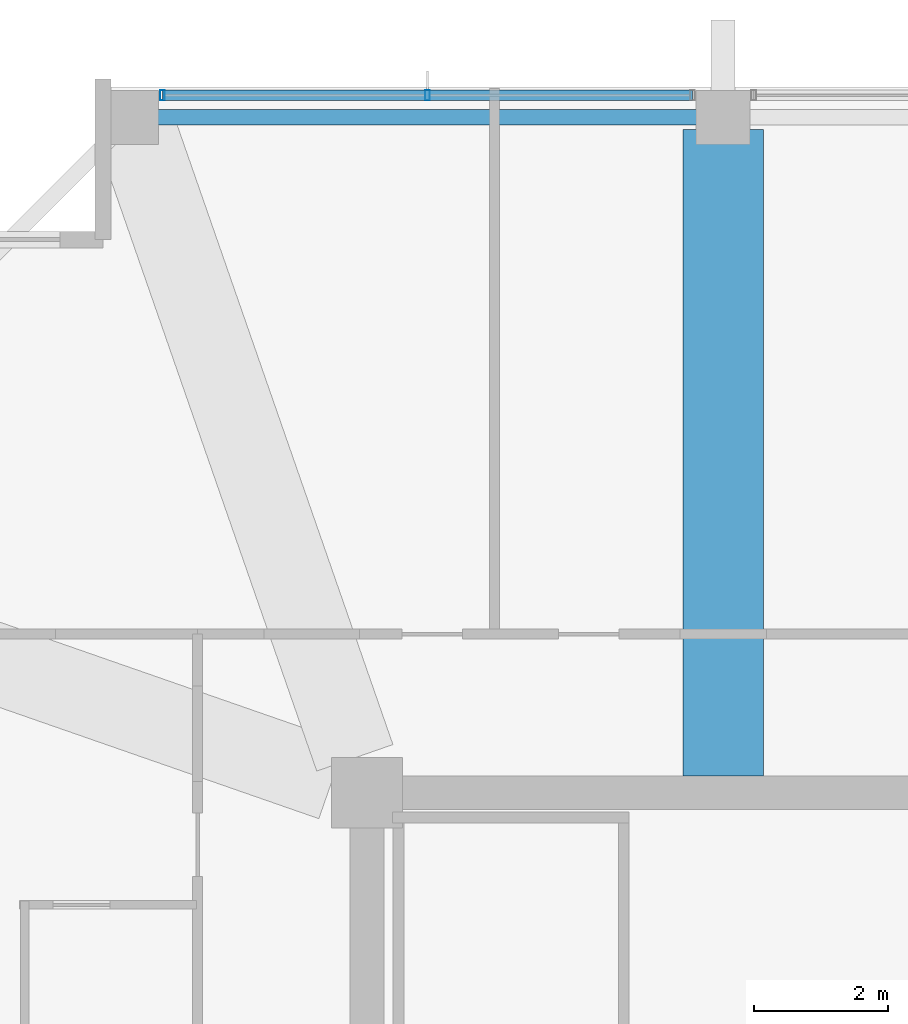
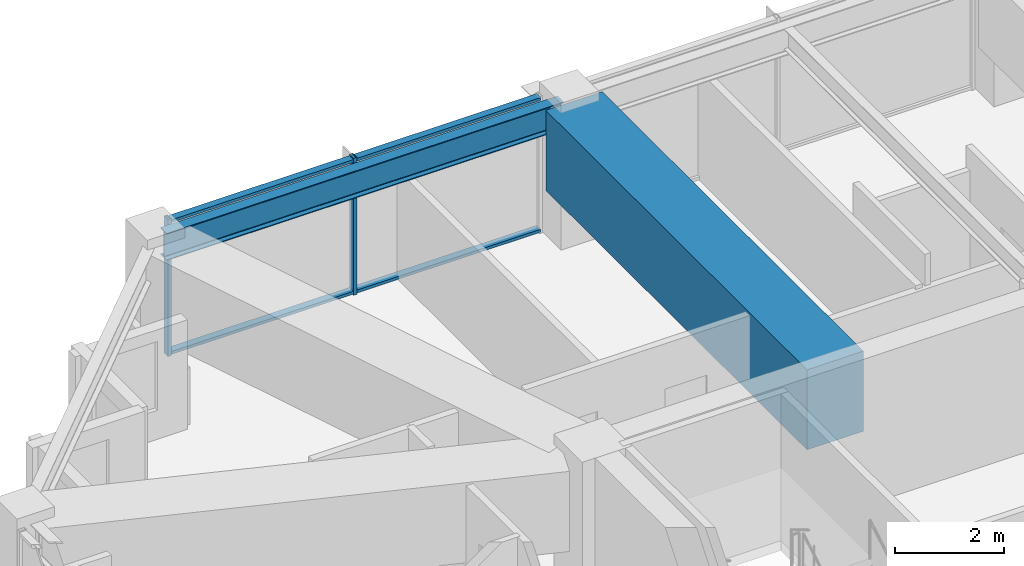
# One storey, part 18 of 35: 4 members, 2 beams, 1 element without a shape of its own.
"""IFC4 building model written with IfcOpenShell, lengths in metres."""

from ifc_helpers import new_model, si_unit, direction, frame, origin, origin_2d, place, context, subcontext, project, spatial, rectangle, hollow_rectangle, i_section, extrude, material, material_profile, profile_set, type_object, element, aggregate, save


model = new_model("IFC4")

# Units and contexts
model_context = context("Model", 3, precision=1e-05, world=origin(), true_north=direction((0.0, 1.0)))
body_context = subcontext(model_context, "Body", "Model", "MODEL_VIEW")
ifc_project = project(units=[si_unit("LENGTHUNIT", "METRE"), si_unit("AREAUNIT", "SQUARE_METRE"), si_unit("VOLUMEUNIT", "CUBIC_METRE"), si_unit("PLANEANGLEUNIT", "RADIAN"), si_unit("MASSUNIT", "GRAM", prefix="KILO")], contexts=[model_context])

# Site, building, storey
site_placement = place(None, origin())
site = spatial("IfcSite", under=ifc_project, at=site_placement, CompositionType="ELEMENT")
building_placement = place(site_placement, origin())
building = spatial("IfcBuilding", under=site, at=building_placement, Name="Kolvaren Belvedere", CompositionType="ELEMENT")
storey_placement = place(building_placement, frame((0.0, 0.0, 203.10009765625)))
storey = spatial("IfcBuildingStorey", under=building, at=storey_placement, Name="L59", CompositionType="ELEMENT", Elevation=203.10009765625)

# Beams
ifc_material_1 = material(Name="Structural steel ASTM A992 Grade 50", Category="steel")
ifc_material_profile_1 = material_profile(ifc_material_1, i_section(OverallWidth=0.22900390625, OverallDepth=0.612060546875, WebThickness=0.011962890625, FlangeThickness=0.01953125, FilletRadius=0.01806640625, at=origin_2d()), Name="W24X84")
ifc_profile_set_1 = profile_set([ifc_material_profile_1], Name="Structural steel ASTM A992 Grade 50")
beam_type_1 = type_object("IfcBeamType", Name="BM-SPAN-W24X84", PredefinedType="SPANDREL", material=ifc_profile_set_1)
beam_1_placement = place(storey_placement, frame((-4.780029296875, 19.949951171875, 2.77392578125), z_axis=(-1.0, 0.0, 0.0), x_axis=(0.0, -1.0, 0.0)))
element("IfcBeam", 1, at=beam_1_placement, inside=storey, type_object=beam_type_1, Name="L59 Perimeter Spandrel N2-N1", PredefinedType="SPANDREL", context=body_context, shape_type="SweptSolid", body=[
    extrude(i_section(OverallWidth=0.22900390625, OverallDepth=0.612060546875, WebThickness=0.011962890625, FlangeThickness=0.01953125, FilletRadius=0.01806640625, at=origin_2d()), origin(), (0.0, 0.0, 1.0), 8.43994140625),
])
ifc_material_2 = material(Name="Concrete C50/60", Category="concrete")
ifc_material_profile_2 = material_profile(ifc_material_2, rectangle(XDim=1.199951171875, YDim=1.800048828125, at=origin_2d()), Name="RC 1200X1800")
ifc_profile_set_2 = profile_set([ifc_material_profile_2], Name="Concrete C50/60")
beam_type_2 = type_object("IfcBeamType", Name="BM-TG-1800", PredefinedType="BEAM", material=ifc_profile_set_2)
beam_2_placement = place(storey_placement, frame((-4.60009765625, 10.14990234375, 2.179931640625), z_axis=(0.0, 1.0, 0.0), x_axis=(-1.0, 0.0, 0.0)))
element("IfcBeam", 2, at=beam_2_placement, inside=storey, type_object=beam_type_2, Name="L59 North Radial Girder M", PredefinedType="BEAM", context=body_context, shape_type="SweptSolid", body=[
    extrude(rectangle(XDim=1.199951171875, YDim=1.800048828125, at=origin_2d()), origin(), (0.0, 0.0, 1.0), 9.6201171875),
])

# Curtain wall, members
ifc_material_3 = material(Name="Anodised pale-metal aluminium AA 6063-T6", Category="aluminium")
curtain_wall_type = type_object("IfcCurtainWallType", Name="CW-Z5-HIGH", PredefinedType="NOTDEFINED", material=ifc_material_3)
curtain_wall_placement = place(storey_placement, origin())
curtain_wall = element("IfcCurtainWall", 3, at=curtain_wall_placement, inside=storey, type_object=curtain_wall_type, Name="L59 Unitised Curtain Wall FCW-L59-N-B1", PredefinedType="NOTDEFINED")
ifc_material_4 = material(Name="Anodised pale-metal aluminium AA 6063-T6", Category="aluminium")
ifc_material_profile_3 = material_profile(ifc_material_4, hollow_rectangle(XDim=0.070068359375, YDim=0.14990234375, WallThickness=0.004150390625, at=origin_2d()), Name="ALU-MUL-150X70")
ifc_profile_set_3 = profile_set([ifc_material_profile_3], Name="Anodised pale-metal aluminium AA 6063-T6")
member_type_1 = type_object("IfcMemberType", Name="CW-MUL-150", PredefinedType="MULLION", material=ifc_profile_set_3)
member_1_placement = place(storey_placement, frame((-12.945068359375, 20.280029296875, 0.0), z_axis=(0.0, 0.0, 1.0), x_axis=(1.0, 0.0, 0.0)))
member_1 = element("IfcMember", 4, at=member_1_placement, type_object=member_type_1, Name="FCW-L59-N-B1 Unitised Mullion 1", PredefinedType="MULLION", context=body_context, shape_type="SweptSolid", body=[
    extrude(hollow_rectangle(XDim=0.070068359375, YDim=0.14990234375, WallThickness=0.004150390625, at=origin_2d()), origin(), (0.0, 0.0, 1.0), 3.079833984375),
])
member_2_placement = place(storey_placement, frame((-9.0, 20.280029296875, 0.0), z_axis=(0.0, 0.0, 1.0), x_axis=(1.0, 0.0, 0.0)))
member_2 = element("IfcMember", 5, at=member_2_placement, type_object=member_type_1, Name="FCW-L59-N-B1 Unitised Mullion 2", PredefinedType="MULLION", context=body_context, shape_type="SweptSolid", body=[
    extrude(hollow_rectangle(XDim=0.070068359375, YDim=0.14990234375, WallThickness=0.004150390625, at=origin_2d()), origin(), (0.0, 0.0, 1.0), 3.079833984375),
])
ifc_material_5 = material(Name="Anodised pale-metal aluminium AA 6063-T6", Category="aluminium")
ifc_material_profile_4 = material_profile(ifc_material_5, hollow_rectangle(XDim=0.06494140625, YDim=0.14990234375, WallThickness=0.00390625, at=origin_2d()), Name="ALU-TRN-150X65")
ifc_profile_set_4 = profile_set([ifc_material_profile_4], Name="Anodised pale-metal aluminium AA 6063-T6")
member_type_2 = type_object("IfcMemberType", Name="CW-TRN-150", PredefinedType="USERDEFINED", material=ifc_profile_set_4)
member_3_placement = place(storey_placement, frame((-12.945068359375, 20.280029296875, 0.059814453125), z_axis=(1.0, 0.0, 0.0), x_axis=(0.0, 0.0, 1.0)))
member_3 = element("IfcMember", 6, at=member_3_placement, type_object=member_type_2, Name="FCW-L59-N-B1 Sill Transom", ObjectType="TRANSOM", PredefinedType="USERDEFINED", context=body_context, shape_type="SweptSolid", body=[
    extrude(hollow_rectangle(XDim=0.06494140625, YDim=0.14990234375, WallThickness=0.00390625, at=origin_2d()), origin(), (0.0, 0.0, 1.0), 7.89013671875),
])
member_4_placement = place(storey_placement, frame((-12.945068359375, 20.280029296875, 3.02001953125), z_axis=(1.0, 0.0, 0.0), x_axis=(0.0, 0.0, 1.0)))
member_4 = element("IfcMember", 7, at=member_4_placement, type_object=member_type_2, Name="FCW-L59-N-B1 Head Transom", ObjectType="TRANSOM", PredefinedType="USERDEFINED", context=body_context, shape_type="SweptSolid", body=[
    extrude(hollow_rectangle(XDim=0.06494140625, YDim=0.14990234375, WallThickness=0.00390625, at=origin_2d()), origin(), (0.0, 0.0, 1.0), 7.89013671875),
])
aggregate(curtain_wall, [member_1, member_2, member_3, member_4])

save(model, "model.ifc")
